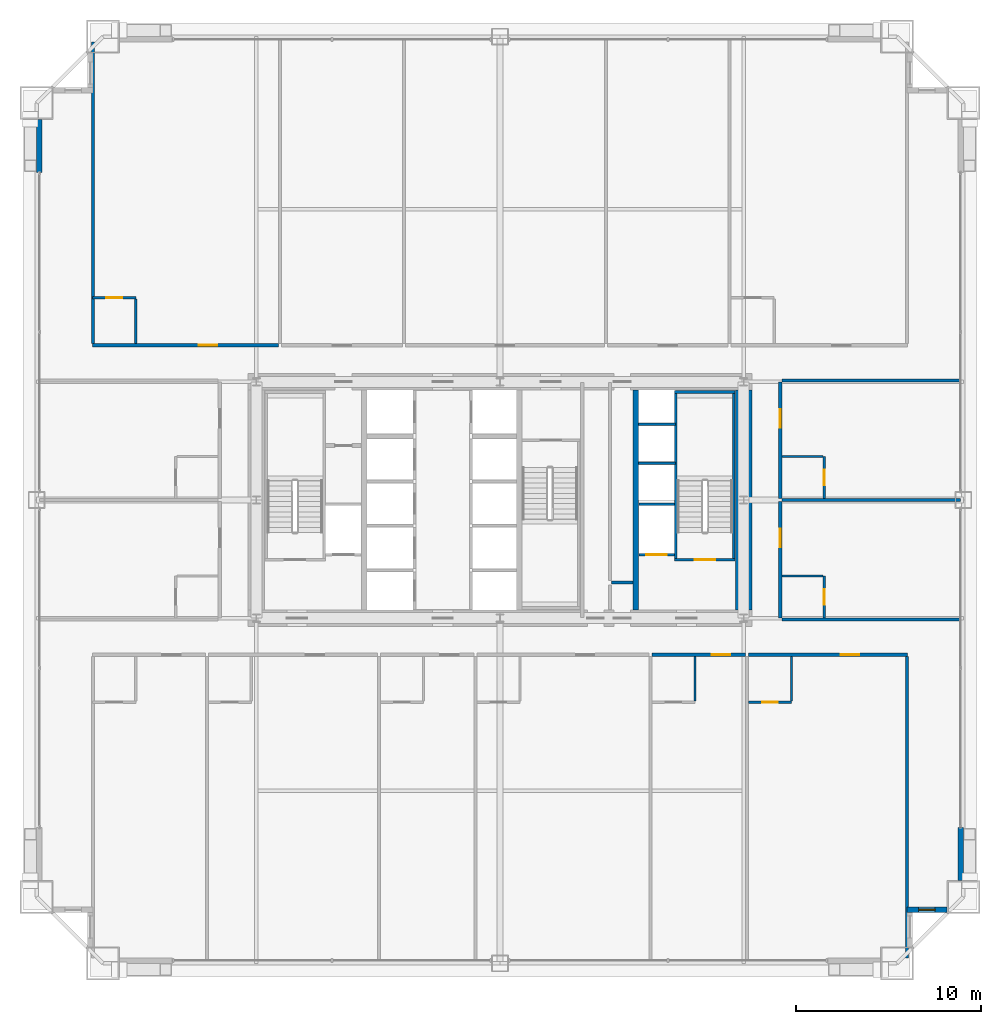
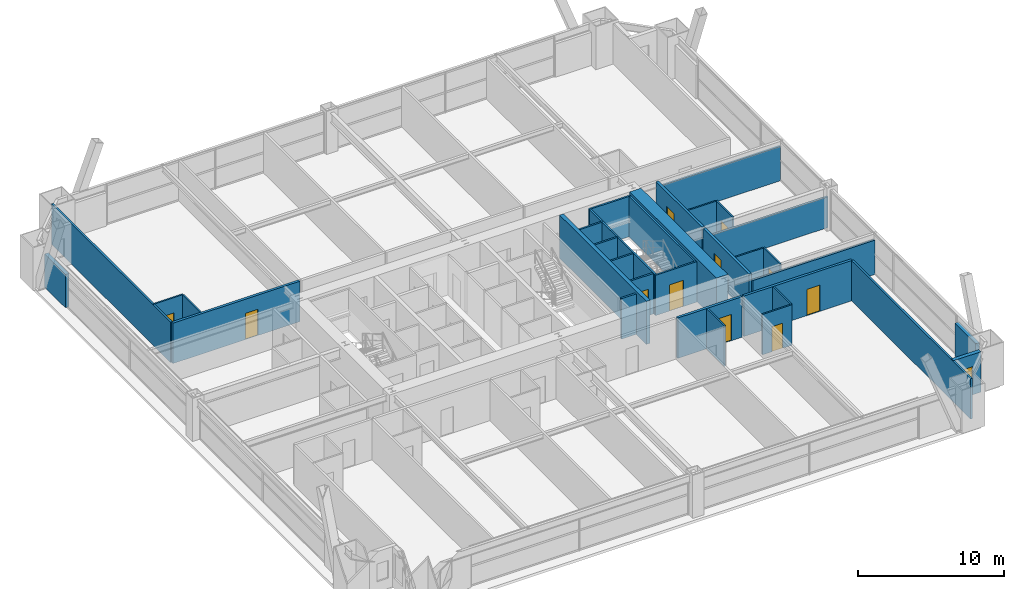
# One storey, part 41 of 43: 33 walls, 11 doors, 1 window, 12 openings.
"""IFC4 building model written with IfcOpenShell, lengths in metres."""

from ifc_helpers import new_model, si_unit, direction, frame, frame_2d, origin, place, context, subcontext, project, spatial, rectangle, extrude, source, transform, mapped, material, layer, layer_set, type_object, element, fill, save


model = new_model("IFC4")

# Units and contexts
model_context = context("Model", 3, precision=1e-05, world=origin(), true_north=direction((0.0, 1.0)))
body_context = subcontext(model_context, "Body", "Model", "MODEL_VIEW")
ifc_project = project(units=[si_unit("LENGTHUNIT", "METRE"), si_unit("AREAUNIT", "SQUARE_METRE"), si_unit("VOLUMEUNIT", "CUBIC_METRE"), si_unit("PLANEANGLEUNIT", "RADIAN"), si_unit("MASSUNIT", "GRAM", prefix="KILO"), si_unit("THERMODYNAMICTEMPERATUREUNIT", "KELVIN"), si_unit("POWERUNIT", "WATT")], contexts=[model_context])

# Site, building, storey
site_placement = place(None, origin())
site = spatial("IfcSite", under=ifc_project, at=site_placement, CompositionType="ELEMENT")
building_placement = place(site_placement, origin())
building = spatial("IfcBuilding", under=site, at=building_placement, Name="Yuzanri Waterfront Tower", CompositionType="ELEMENT")
storey_placement = place(building_placement, frame((0.0, 0.0, 60.39990234375)))
storey = spatial("IfcBuildingStorey", under=building, at=storey_placement, Name="L15", CompositionType="ELEMENT", Elevation=60.39990234375)

# Wall, opening, door
ifc_material_1 = material(Name="Moisture-Resistant Gypsum Stud Wall", Category="gypsum")
ifc_layer_1 = layer(ifc_material_1, 0.1201171875)
ifc_layer_set_1 = layer_set([ifc_layer_1], Name="Moisture-Resistant Gypsum Stud Wall")
wall_type_1 = type_object("IfcWallType", Name="Bathroom and Kitchen Wet Partition 120", PredefinedType="PARTITIONING", material=ifc_layer_set_1)
wall_1_placement = place(storey_placement, frame((50.462890625, 14.840087890625, 0.0), z_axis=(0.0, 0.0, 1.0), x_axis=(1.0, 0.0, 0.0)))
wall_1 = element("IfcWall", 1, at=wall_1_placement, inside=storey, type_object=wall_type_1, Name="L15 Partition UW-L15-S6-BS", PredefinedType="PARTITIONING", context=body_context, shape_type="SweptSolid", body=[
    extrude(rectangle(XDim=2.330078125, YDim=0.1201171875, at=frame_2d((1.1650390625, 0.0))), origin(), (0.0, 0.0, 1.0), 3.380126953125),
])
opening_1_placement = place(wall_1_placement, frame((0.739990234375, 0.0, 0.0)))
opening_1 = element("IfcOpeningElement", 2, at=opening_1_placement, cuts=wall_1, Name="Opening ID-0850", PredefinedType="OPENING", context=body_context, shape_type="SweptSolid", body=[
    extrude(rectangle(XDim=0.85009765625, YDim=2.10009765625, at=frame_2d((0.425048828125, 1.050048828125))), frame((0.0, 0.074951171875, 0.0), z_axis=(0.0, -1.0, 0.0), x_axis=(1.0, 0.0, 0.0)), (0.0, 0.0, 1.0), 0.14990234375),
])
ifc_material_2 = material(Name="Moisture-Resistant Lacquered Timber", Category="wood")
door_type_1 = type_object("IfcDoorType", Name="En-Suite Bathroom and Kitchen Swing Door 850x2100", OperationType="NOTDEFINED", PredefinedType="DOOR", material=ifc_material_2)
shared_shape_1 = source(origin(), body_context, "Body", "SweptSolid", [
    extrude(rectangle(XDim=0.85009765625, YDim=2.10009765625, at=frame_2d((0.425048828125, 1.050048828125))), frame((0.0, 0.02490234375, 0.0), z_axis=(0.0, -1.0, 0.0), x_axis=(1.0, 0.0, 0.0)), (0.0, 0.0, 1.0), 0.050048828125),
])
door_1_placement = place(opening_1_placement, origin())
door_1 = element("IfcDoor", 3, at=door_1_placement, inside=storey, type_object=door_type_1, Name="L15 Guest En-Suite Door", OperationType="SINGLE_SWING_RIGHT", OverallHeight=2.10009765625, OverallWidth=0.85009765625, PredefinedType="DOOR", context=body_context, shape_type="MappedRepresentation", body=[
    mapped(shared_shape_1, transform((0.0, 0.0, 0.0), scale=1.0)),
])
fill(opening_1, door_1)

wall_2_placement = place(storey_placement, frame((14.93994140625, 36.760009765625, 0.0), z_axis=(0.0, 0.0, 1.0), x_axis=(1.0, 0.0, 0.0)))
wall_2 = element("IfcWall", 4, at=wall_2_placement, inside=storey, type_object=wall_type_1, Name="L15 Partition UW-L15-N1-BN", PredefinedType="PARTITIONING", context=body_context, shape_type="SweptSolid", body=[
    extrude(rectangle(XDim=2.330078125, YDim=0.1201171875, at=frame_2d((1.1650390625, 0.0))), origin(), (0.0, 0.0, 1.0), 3.380126953125),
])
opening_2_placement = place(wall_2_placement, frame((0.739990234375, 0.0, 0.0)))
opening_2 = element("IfcOpeningElement", 5, at=opening_2_placement, cuts=wall_2, Name="Opening ID-0850", PredefinedType="OPENING", context=body_context, shape_type="SweptSolid", body=[
    extrude(rectangle(XDim=0.85009765625, YDim=2.10009765625, at=frame_2d((0.425048828125, 1.050048828125))), frame((0.0, 0.074951171875, 0.0), z_axis=(0.0, -1.0, 0.0), x_axis=(1.0, 0.0, 0.0)), (0.0, 0.0, 1.0), 0.14990234375),
])
door_2_placement = place(opening_2_placement, origin())
door_2 = element("IfcDoor", 6, at=door_2_placement, inside=storey, type_object=door_type_1, Name="L15 Guest En-Suite Door", OperationType="SINGLE_SWING_RIGHT", OverallHeight=2.10009765625, OverallWidth=0.85009765625, PredefinedType="DOOR", context=body_context, shape_type="MappedRepresentation", body=[
    mapped(shared_shape_1, transform((0.0, 0.0, 0.0), scale=1.0)),
])
fill(opening_2, door_2)

wall_3_placement = place(storey_placement, frame((54.56005859375, 19.409912109375, 0.0), z_axis=(0.0, 0.0, 1.0), x_axis=(0.0, 1.0, 0.0)))
wall_3 = element("IfcWall", 7, at=wall_3_placement, inside=storey, type_object=wall_type_1, Name="L15 Partition UW-L15-E1-BE2", PredefinedType="PARTITIONING", context=body_context, shape_type="SweptSolid", body=[
    extrude(rectangle(XDim=2.280029296875, YDim=0.1201171875, at=frame_2d((1.14013671875, 0.0))), origin(), (0.0, 0.0, 1.0), 3.380126953125),
])
opening_3_placement = place(wall_3_placement, frame((0.715087890625, 0.0, 0.0)))
opening_3 = element("IfcOpeningElement", 8, at=opening_3_placement, cuts=wall_3, Name="Opening ID-0850", PredefinedType="OPENING", context=body_context, shape_type="SweptSolid", body=[
    extrude(rectangle(XDim=0.85009765625, YDim=2.10009765625, at=frame_2d((0.425048828125, 1.050048828125))), frame((0.0, 0.074951171875, 0.0), z_axis=(0.0, -1.0, 0.0), x_axis=(1.0, 0.0, 0.0)), (0.0, 0.0, 1.0), 0.14990234375),
])
door_3_placement = place(opening_3_placement, origin())
door_3 = element("IfcDoor", 9, at=door_3_placement, inside=storey, type_object=door_type_1, Name="L15 Guest En-Suite Door", OperationType="SINGLE_SWING_LEFT", OverallHeight=2.10009765625, OverallWidth=0.85009765625, PredefinedType="DOOR", context=body_context, shape_type="MappedRepresentation", body=[
    mapped(shared_shape_1, transform((0.0, 0.0, 0.0), scale=1.0)),
])
fill(opening_3, door_3)

wall_4_placement = place(storey_placement, frame((54.56005859375, 25.8798828125, 0.0), z_axis=(0.0, 0.0, 1.0), x_axis=(0.0, 1.0, 0.0)))
wall_4 = element("IfcWall", 10, at=wall_4_placement, inside=storey, type_object=wall_type_1, Name="L15 Partition UW-L15-E2-BE2", PredefinedType="PARTITIONING", context=body_context, shape_type="SweptSolid", body=[
    extrude(rectangle(XDim=2.280029296875, YDim=0.1201171875, at=frame_2d((1.14013671875, 0.0))), origin(), (0.0, 0.0, 1.0), 3.380126953125),
])
opening_4_placement = place(wall_4_placement, frame((0.715087890625, 0.0, 0.0)))
opening_4 = element("IfcOpeningElement", 11, at=opening_4_placement, cuts=wall_4, Name="Opening ID-0850", PredefinedType="OPENING", context=body_context, shape_type="SweptSolid", body=[
    extrude(rectangle(XDim=0.85009765625, YDim=2.10009765625, at=frame_2d((0.425048828125, 1.050048828125))), frame((0.0, 0.074951171875, 0.0), z_axis=(0.0, -1.0, 0.0), x_axis=(1.0, 0.0, 0.0)), (0.0, 0.0, 1.0), 0.14990234375),
])
door_4_placement = place(opening_4_placement, origin())
door_4 = element("IfcDoor", 12, at=door_4_placement, inside=storey, type_object=door_type_1, Name="L15 Guest En-Suite Door", OperationType="SINGLE_SWING_LEFT", OverallHeight=2.10009765625, OverallWidth=0.85009765625, PredefinedType="DOOR", context=body_context, shape_type="MappedRepresentation", body=[
    mapped(shared_shape_1, transform((0.0, 0.0, 0.0), scale=1.0)),
])
fill(opening_4, door_4)

# Wall, opening, window
ifc_material_3 = material(Name="Honed Chongqing Dark Basalt Stone", Category="masonry")
ifc_layer_2 = layer(ifc_material_3, 0.300048828125)
ifc_layer_set_2 = layer_set([ifc_layer_2], Name="Honed Chongqing Dark Basalt Stone")
wall_type_2 = type_object("IfcWallType", Name="Bronze Rainscreen Insulated Spandrel Portal Wall 300", PredefinedType="SOLIDWALL", material=ifc_layer_set_2)
wall_5_placement = place(storey_placement, frame((59.050048828125, 3.60009765625, 0.0), z_axis=(0.0, 0.0, 1.0), x_axis=(1.0, 0.0, 0.0)))
wall_5 = element("IfcWall", 13, at=wall_5_placement, inside=storey, type_object=wall_type_2, Name="L15 Notched Corner Masonry Wall SE-X", PredefinedType="SOLIDWALL", context=body_context, shape_type="SweptSolid", body=[
    extrude(rectangle(XDim=2.14990234375, YDim=0.300048828125, at=frame_2d((1.074951171875, 0.0))), origin(), (0.0, 0.0, 1.0), 3.380126953125),
])
opening_5_placement = place(wall_5_placement, frame((0.625, 0.0, 0.85009765625)))
opening_5 = element("IfcOpeningElement", 14, at=opening_5_placement, cuts=wall_5, Name="Opening WN-05", PredefinedType="OPENING", context=body_context, shape_type="SweptSolid", body=[
    extrude(rectangle(XDim=0.89990234375, YDim=1.5, at=frame_2d((0.449951171875, 0.75))), frame((0.0, 0.1650390625, 0.0), z_axis=(0.0, -1.0, 0.0), x_axis=(1.0, 0.0, 0.0)), (0.0, 0.0, 1.0), 0.329833984375),
])
ifc_material_4 = material(Name="Double-Silver Low-E Insulated Glass", Category="glass")
window_type = type_object("IfcWindowType", Name="Anodized Bronze Service and Stairwell Smoke-Vent Window 900x1500", PartitioningType="SINGLE_PANEL", PredefinedType="WINDOW", material=ifc_material_4)
shared_shape_2 = source(origin(), body_context, "Body", "SweptSolid", [
    extrude(rectangle(XDim=0.89990234375, YDim=1.5, at=frame_2d((0.449951171875, 0.75))), frame((0.0, 0.030029296875, 0.0), z_axis=(0.0, -1.0, 0.0), x_axis=(1.0, 0.0, 0.0)), (0.0, 0.0, 1.0), 0.06005859375),
])
window_placement = place(opening_5_placement, origin())
window = element("IfcWindow", 15, at=window_placement, inside=storey, type_object=window_type, Name="L15 Notched Corner Window SE-X", OverallHeight=1.5, OverallWidth=0.89990234375, PartitioningType="SINGLE_PANEL", PredefinedType="WINDOW", context=body_context, shape_type="MappedRepresentation", body=[
    mapped(shared_shape_2, transform((0.0, 0.0, 0.0), scale=1.0)),
])
fill(opening_5, window)

# Wall, opening, door
ifc_material_5 = material(Name="Concrete C40", Category="concrete")
ifc_layer_3 = layer(ifc_material_5, 0.139892578125)
ifc_layer_set_3 = layer_set([ifc_layer_3], Name="Concrete C40")
wall_type_3 = type_object("IfcWallType", Name="Core Stair Liner and Hoistway Shaft Wall 140", PredefinedType="SOLIDWALL", material=ifc_layer_set_3)
wall_6_placement = place(storey_placement, frame((44.52001953125, 22.830078125, 0.0), z_axis=(0.0, 0.0, 1.0), x_axis=(1.0, 0.0, 0.0)))
wall_6 = element("IfcWall", 16, at=wall_6_placement, inside=storey, type_object=wall_type_3, Name="L15 Lift FL-02 Front Shaft Wall", PredefinedType="SOLIDWALL", context=body_context, shape_type="SweptSolid", body=[
    extrude(rectangle(XDim=1.919921875, YDim=0.139892578125, at=frame_2d((0.9599609375, 0.0))), origin(), (0.0, 0.0, 1.0), 3.380126953125),
])
opening_6_placement = place(wall_6_placement, frame((0.409912109375, 0.0, 0.0)))
opening_6 = element("IfcOpeningElement", 17, at=opening_6_placement, cuts=wall_6, Name="Opening LD-FL-02", PredefinedType="OPENING", context=body_context, shape_type="SweptSolid", body=[
    extrude(rectangle(XDim=1.10009765625, YDim=2.199951171875, at=frame_2d((0.550048828125, 1.10009765625))), frame((0.0, 0.0849609375, 0.0), z_axis=(0.0, -1.0, 0.0), x_axis=(1.0, 0.0, 0.0)), (0.0, 0.0, 1.0), 0.169677734375),
])
ifc_material_6 = material(Name="Brushed Bronze and Stainless Steel Cab", Category="steel")
door_type_2 = type_object("IfcDoorType", Name="Center-Parting Bronze Lift Landing Sliding Door 1100x2200", OperationType="NOTDEFINED", PredefinedType="DOOR", material=ifc_material_6)
shared_shape_3 = source(origin(), body_context, "Body", "SweptSolid", [
    extrude(rectangle(XDim=1.10009765625, YDim=2.199951171875, at=frame_2d((0.550048828125, 1.10009765625))), frame((0.0, 0.02490234375, 0.0), z_axis=(0.0, -1.0, 0.0), x_axis=(1.0, 0.0, 0.0)), (0.0, 0.0, 1.0), 0.050048828125),
])
door_5_placement = place(opening_6_placement, origin())
door_5 = element("IfcDoor", 18, at=door_5_placement, inside=storey, type_object=door_type_2, Name="L15 FL-02 Lift Landing Sliding Door", OperationType="SLIDING_TO_RIGHT", OverallHeight=2.199951171875, OverallWidth=1.10009765625, PredefinedType="DOOR", context=body_context, shape_type="MappedRepresentation", body=[
    mapped(shared_shape_3, transform((0.0, 0.0, 0.0), scale=1.0)),
])
fill(opening_6, door_5)

wall_7_placement = place(storey_placement, frame((46.4599609375, 22.570068359375, 0.0), z_axis=(0.0, 0.0, 1.0), x_axis=(1.0, 0.0, 0.0)))
wall_7 = element("IfcWall", 19, at=wall_7_placement, inside=storey, type_object=wall_type_3, Name="L15 Shaft Wall STW-L15-ST-02-S", PredefinedType="SOLIDWALL", context=body_context, shape_type="SweptSolid", body=[
    extrude(rectangle(XDim=3.280029296875, YDim=0.139892578125, at=frame_2d((1.64013671875, 0.0))), origin(), (0.0, 0.0, 1.0), 3.380126953125),
])
opening_7_placement = place(wall_7_placement, frame((1.090087890625, 0.0, 0.0)))
opening_7 = element("IfcOpeningElement", 20, at=opening_7_placement, cuts=wall_7, Name="Opening FD-1100", PredefinedType="OPENING", context=body_context, shape_type="SweptSolid", body=[
    extrude(rectangle(XDim=1.10009765625, YDim=2.199951171875, at=frame_2d((0.550048828125, 1.10009765625))), frame((0.0, 0.0849609375, 0.0), z_axis=(0.0, -1.0, 0.0), x_axis=(1.0, 0.0, 0.0)), (0.0, 0.0, 1.0), 0.169677734375),
])
ifc_material_7 = material(Name="Painted Galvanized Fire Steel", Category="steel")
door_type_3 = type_object("IfcDoorType", Name="Smoke-Proof Stair and Lobby Fire Door 1100x2200", OperationType="NOTDEFINED", PredefinedType="DOOR", material=ifc_material_7)
shared_shape_4 = source(origin(), body_context, "Body", "SweptSolid", [
    extrude(rectangle(XDim=1.10009765625, YDim=2.199951171875, at=frame_2d((0.550048828125, 1.10009765625))), frame((0.0, 0.02490234375, 0.0), z_axis=(0.0, -1.0, 0.0), x_axis=(1.0, 0.0, 0.0)), (0.0, 0.0, 1.0), 0.050048828125),
])
door_6_placement = place(opening_7_placement, origin())
door_6 = element("IfcDoor", 21, at=door_6_placement, inside=storey, type_object=door_type_3, Name="L15 Stair ST-02 Fire Door", OperationType="SINGLE_SWING_LEFT", OverallHeight=2.199951171875, OverallWidth=1.10009765625, PredefinedType="DOOR", context=body_context, shape_type="MappedRepresentation", body=[
    mapped(shared_shape_4, transform((0.0, 0.0, 0.0), scale=1.0)),
])
fill(opening_7, door_6)

ifc_material_8 = material(Name="Autoclaved Aerated Concrete Blockwork", Category="masonry")
ifc_layer_4 = layer(ifc_material_8, 0.199951171875)
ifc_layer_set_4 = layer_set([ifc_layer_4], Name="Autoclaved Aerated Concrete Blockwork")
wall_type_4 = type_object("IfcWallType", Name="Corridor and Unit Party Fire Wall 200", PredefinedType="PARTITIONING", material=ifc_layer_set_4)
wall_8_placement = place(storey_placement, frame((45.22705078125, 17.419921875, 0.0), z_axis=(0.0, 0.0, 1.0), x_axis=(1.0, 0.0, 0.0)))
wall_8 = element("IfcWall", 22, at=wall_8_placement, inside=storey, type_object=wall_type_4, Name="L15 Partition UW-L15-S5-CN", PredefinedType="PARTITIONING", context=body_context, shape_type="SweptSolid", body=[
    extrude(rectangle(XDim=5.075927734375, YDim=0.199951171875, at=frame_2d((2.5380859375, 0.0))), origin(), (0.0, 0.0, 1.0), 3.380126953125),
])
opening_8_placement = place(wall_8_placement, frame((3.242919921875, 0.0, 0.0)))
opening_8 = element("IfcOpeningElement", 23, at=opening_8_placement, cuts=wall_8, Name="Opening FD-1000", PredefinedType="OPENING", context=body_context, shape_type="SweptSolid", body=[
    extrude(rectangle(XDim=1.0, YDim=2.199951171875, at=frame_2d((0.5, 1.10009765625))), frame((0.0, 0.11474609375, 0.0), z_axis=(0.0, -1.0, 0.0), x_axis=(1.0, 0.0, 0.0)), (0.0, 0.0, 1.0), 0.229736328125),
])
ifc_material_9 = material(Name="Engineered Oak Fire-Rated Timber", Category="wood")
door_type_4 = type_object("IfcDoorType", Name="Guestroom and Apartment Entrance Fire Door 1000x2200", OperationType="NOTDEFINED", PredefinedType="DOOR", material=ifc_material_9)
shared_shape_5 = source(origin(), body_context, "Body", "SweptSolid", [
    extrude(rectangle(XDim=1.0, YDim=2.199951171875, at=frame_2d((0.5, 1.10009765625))), frame((0.0, 0.02490234375, 0.0), z_axis=(0.0, -1.0, 0.0), x_axis=(1.0, 0.0, 0.0)), (0.0, 0.0, 1.0), 0.050048828125),
])
door_7_placement = place(opening_8_placement, origin())
door_7 = element("IfcDoor", 24, at=door_7_placement, inside=storey, type_object=door_type_4, Name="L15 Deluxe Riverfront Junior Suite Entrance Door", OperationType="SINGLE_SWING_LEFT", OverallHeight=2.199951171875, OverallWidth=1.0, PredefinedType="DOOR", context=body_context, shape_type="MappedRepresentation", body=[
    mapped(shared_shape_5, transform((0.0, 0.0, 0.0), scale=1.0)),
])
fill(opening_8, door_7)

wall_9_placement = place(storey_placement, frame((50.462890625, 17.419921875, 0.0), z_axis=(0.0, 0.0, 1.0), x_axis=(1.0, 0.0, 0.0)))
wall_9 = element("IfcWall", 25, at=wall_9_placement, inside=storey, type_object=wall_type_4, Name="L15 Partition UW-L15-S6-CN", PredefinedType="PARTITIONING", context=body_context, shape_type="SweptSolid", body=[
    extrude(rectangle(XDim=8.59716796875, YDim=0.199951171875, at=frame_2d((4.298583984375, 0.0))), origin(), (0.0, 0.0, 1.0), 3.380126953125),
])
opening_9_placement = place(wall_9_placement, frame((5.0029296875, 0.0, 0.0)))
opening_9 = element("IfcOpeningElement", 26, at=opening_9_placement, cuts=wall_9, Name="Opening FD-1000", PredefinedType="OPENING", context=body_context, shape_type="SweptSolid", body=[
    extrude(rectangle(XDim=1.0, YDim=2.199951171875, at=frame_2d((0.5, 1.10009765625))), frame((0.0, 0.11474609375, 0.0), z_axis=(0.0, -1.0, 0.0), x_axis=(1.0, 0.0, 0.0)), (0.0, 0.0, 1.0), 0.229736328125),
])
door_8_placement = place(opening_9_placement, origin())
door_8 = element("IfcDoor", 27, at=door_8_placement, inside=storey, type_object=door_type_4, Name="L15 Deluxe Riverfront Junior Suite Entrance Door", OperationType="SINGLE_SWING_LEFT", OverallHeight=2.199951171875, OverallWidth=1.0, PredefinedType="DOOR", context=body_context, shape_type="MappedRepresentation", body=[
    mapped(shared_shape_5, transform((0.0, 0.0, 0.0), scale=1.0)),
])
fill(opening_9, door_8)

wall_10_placement = place(storey_placement, frame((14.93994140625, 34.179931640625, 0.0), z_axis=(0.0, 0.0, 1.0), x_axis=(1.0, 0.0, 0.0)))
wall_10 = element("IfcWall", 28, at=wall_10_placement, inside=storey, type_object=wall_type_4, Name="L15 Partition UW-L15-N1-CS", PredefinedType="PARTITIONING", context=body_context, shape_type="SweptSolid", body=[
    extrude(rectangle(XDim=10.068115234375, YDim=0.199951171875, at=frame_2d((5.0341796875, 0.0))), origin(), (0.0, 0.0, 1.0), 3.380126953125),
])
opening_10_placement = place(wall_10_placement, frame((5.739013671875, 0.0, 0.0)))
opening_10 = element("IfcOpeningElement", 29, at=opening_10_placement, cuts=wall_10, Name="Opening FD-1000", PredefinedType="OPENING", context=body_context, shape_type="SweptSolid", body=[
    extrude(rectangle(XDim=1.0, YDim=2.199951171875, at=frame_2d((0.5, 1.10009765625))), frame((0.0, 0.11474609375, 0.0), z_axis=(0.0, -1.0, 0.0), x_axis=(1.0, 0.0, 0.0)), (0.0, 0.0, 1.0), 0.229736328125),
])
door_9_placement = place(opening_10_placement, origin())
door_9 = element("IfcDoor", 30, at=door_9_placement, inside=storey, type_object=door_type_4, Name="L15 Diplomatic Suite Entrance Door", OperationType="SINGLE_SWING_LEFT", OverallHeight=2.199951171875, OverallWidth=1.0, PredefinedType="DOOR", context=body_context, shape_type="MappedRepresentation", body=[
    mapped(shared_shape_5, transform((0.0, 0.0, 0.0), scale=1.0)),
])
fill(opening_10, door_9)

wall_11_placement = place(storey_placement, frame((52.179931640625, 19.409912109375, 0.0), z_axis=(0.0, 0.0, 1.0), x_axis=(0.0, 1.0, 0.0)))
wall_11 = element("IfcWall", 31, at=wall_11_placement, inside=storey, type_object=wall_type_4, Name="L15 Partition UW-L15-E1-CW", PredefinedType="PARTITIONING", context=body_context, shape_type="SweptSolid", body=[
    extrude(rectangle(XDim=6.31005859375, YDim=0.199951171875, at=frame_2d((3.155029296875, 0.0))), origin(), (0.0, 0.0, 1.0), 3.380126953125),
])
opening_11_placement = place(wall_11_placement, frame((3.8349609375, 0.0, 0.0)))
opening_11 = element("IfcOpeningElement", 32, at=opening_11_placement, cuts=wall_11, Name="Opening FD-1000", PredefinedType="OPENING", context=body_context, shape_type="SweptSolid", body=[
    extrude(rectangle(XDim=1.0, YDim=2.199951171875, at=frame_2d((0.5, 1.10009765625))), frame((0.0, 0.11474609375, 0.0), z_axis=(0.0, -1.0, 0.0), x_axis=(1.0, 0.0, 0.0)), (0.0, 0.0, 1.0), 0.229736328125),
])
door_10_placement = place(opening_11_placement, origin())
door_10 = element("IfcDoor", 33, at=door_10_placement, inside=storey, type_object=door_type_4, Name="L15 East Guest Room Entrance Door", OperationType="SINGLE_SWING_RIGHT", OverallHeight=2.199951171875, OverallWidth=1.0, PredefinedType="DOOR", context=body_context, shape_type="MappedRepresentation", body=[
    mapped(shared_shape_5, transform((0.0, 0.0, 0.0), scale=1.0)),
])
fill(opening_11, door_10)

wall_12_placement = place(storey_placement, frame((52.179931640625, 25.8798828125, 0.0), z_axis=(0.0, 0.0, 1.0), x_axis=(0.0, 1.0, 0.0)))
wall_12 = element("IfcWall", 34, at=wall_12_placement, inside=storey, type_object=wall_type_4, Name="L15 Partition UW-L15-E2-CW", PredefinedType="PARTITIONING", context=body_context, shape_type="SweptSolid", body=[
    extrude(rectangle(XDim=6.31005859375, YDim=0.199951171875, at=frame_2d((3.155029296875, 0.0))), origin(), (0.0, 0.0, 1.0), 3.380126953125),
])
opening_12_placement = place(wall_12_placement, frame((3.8349609375, 0.0, 0.0)))
opening_12 = element("IfcOpeningElement", 35, at=opening_12_placement, cuts=wall_12, Name="Opening FD-1000", PredefinedType="OPENING", context=body_context, shape_type="SweptSolid", body=[
    extrude(rectangle(XDim=1.0, YDim=2.199951171875, at=frame_2d((0.5, 1.10009765625))), frame((0.0, 0.11474609375, 0.0), z_axis=(0.0, -1.0, 0.0), x_axis=(1.0, 0.0, 0.0)), (0.0, 0.0, 1.0), 0.229736328125),
])
door_11_placement = place(opening_12_placement, origin())
door_11 = element("IfcDoor", 36, at=door_11_placement, inside=storey, type_object=door_type_4, Name="L15 East Guest Room Entrance Door", OperationType="SINGLE_SWING_RIGHT", OverallHeight=2.199951171875, OverallWidth=1.0, PredefinedType="DOOR", context=body_context, shape_type="MappedRepresentation", body=[
    mapped(shared_shape_5, transform((0.0, 0.0, 0.0), scale=1.0)),
])
fill(opening_12, door_11)

# Walls
ifc_material_10 = material(Name="Concrete C60", Category="concrete")
ifc_layer_5 = layer(ifc_material_10, 0.89990234375)
ifc_layer_set_5 = layer_set([ifc_layer_5], Name="Concrete C60")
wall_type_5 = type_object("IfcWallType", Name="Concrete C60 Lower Zone Core Shear Wall 900", PredefinedType="SHEAR", material=ifc_layer_set_5)
shared_shape_6 = source(origin(), body_context, "Body", "SweptSolid", [
    extrude(rectangle(XDim=11.89990234375, YDim=0.89990234375, at=frame_2d((5.949951171875, 0.0))), origin(), (0.0, 0.0, 1.0), 3.60009765625),
])
wall_13_placement = place(storey_placement, frame((50.199951171875, 19.85009765625, 0.0), z_axis=(0.0, 0.0, 1.0), x_axis=(0.0, 1.0, 0.0)))
element("IfcWall", 37, at=wall_13_placement, inside=storey, type_object=wall_type_5, Name="L15 Core East Shear Wall", PredefinedType="SHEAR", context=body_context, shape_type="MappedRepresentation", body=[
    mapped(shared_shape_6, transform((0.0, 0.0, 0.0), scale=1.0)),
])
ifc_material_11 = material(Name="Concrete C50", Category="concrete")
ifc_layer_6 = layer(ifc_material_11, 0.300048828125)
ifc_layer_set_6 = layer_set([ifc_layer_6], Name="Concrete C50")
wall_type_6 = type_object("IfcWallType", Name="Concrete C50 Internal Core Shaft Structural Wall 300", PredefinedType="SOLIDWALL", material=ifc_layer_set_6)
shared_shape_7 = source(origin(), body_context, "Body", "SweptSolid", [
    extrude(rectangle(XDim=11.89990234375, YDim=0.300048828125, at=frame_2d((5.949951171875, 0.0))), origin(), (0.0, 0.0, 1.0), 3.60009765625),
])
wall_14_placement = place(storey_placement, frame((44.35009765625, 19.85009765625, 0.0), z_axis=(0.0, 0.0, 1.0), x_axis=(0.0, 1.0, 0.0)))
element("IfcWall", 38, at=wall_14_placement, inside=storey, type_object=wall_type_6, Name="L15 Core Internal Structural Web Wall 3", PredefinedType="SOLIDWALL", context=body_context, shape_type="MappedRepresentation", body=[
    mapped(shared_shape_7, transform((0.0, 0.0, 0.0), scale=1.0)),
])
shared_shape_8 = source(origin(), body_context, "Body", "SweptSolid", [
    extrude(rectangle(XDim=2.85009765625, YDim=0.300048828125, at=frame_2d((1.425048828125, 0.0))), origin(), (0.0, 0.0, 1.0), 2.775146484375),
])
wall_15_placement = place(storey_placement, frame((61.949951171875, 5.199951171875, 0.0), z_axis=(0.0, 0.0, 1.0), x_axis=(0.0, 1.0, 0.0)))
element("IfcWall", 39, at=wall_15_placement, inside=storey, type_object=wall_type_2, Name="L15 E Left Braced Masonry Shoulder", PredefinedType="SOLIDWALL", context=body_context, shape_type="MappedRepresentation", body=[
    mapped(shared_shape_8, transform((0.0, 0.0, 0.0), scale=1.0)),
])
shared_shape_9 = source(origin(), body_context, "Body", "SweptSolid", [
    extrude(rectangle(XDim=2.849853515625, YDim=0.300048828125, at=frame_2d((1.4248046875, 0.0))), origin(), (0.0, 0.0, 1.0), 2.775146484375),
])
wall_16_placement = place(storey_placement, frame((12.050048828125, 43.550048828125, 0.0), z_axis=(0.0, 0.0, 1.0), x_axis=(0.0, 1.0, 0.0)))
element("IfcWall", 40, at=wall_16_placement, inside=storey, type_object=wall_type_2, Name="L15 W Right Braced Masonry Shoulder", PredefinedType="SOLIDWALL", context=body_context, shape_type="MappedRepresentation", body=[
    mapped(shared_shape_9, transform((0.0, 0.0, 0.0), scale=1.0)),
])
shared_shape_10 = source(origin(), body_context, "Body", "SweptSolid", [
    extrude(rectangle(XDim=1.919921875, YDim=0.139892578125, at=frame_2d((0.9599609375, 0.0))), origin(), (0.0, 0.0, 1.0), 3.380126953125),
])
wall_17_placement = place(storey_placement, frame((44.52001953125, 25.570068359375, 0.0), z_axis=(0.0, 0.0, 1.0), x_axis=(1.0, 0.0, 0.0)))
element("IfcWall", 41, at=wall_17_placement, inside=storey, type_object=wall_type_3, Name="L15 Lift FL-02 Back Shaft Wall", PredefinedType="SOLIDWALL", context=body_context, shape_type="MappedRepresentation", body=[
    mapped(shared_shape_10, transform((0.0, 0.0, 0.0), scale=1.0)),
])
shared_shape_11 = source(origin(), body_context, "Body", "SweptSolid", [
    extrude(rectangle(XDim=2.0, YDim=0.139892578125, at=frame_2d((1.0, 0.0))), origin(), (0.0, 0.0, 1.0), 3.380126953125),
])
for number, where, z_axis, x_axis, name in (
    (42, (44.5, 27.800048828125, 0.0), (0.0, 0.0, 1.0), (1.0, 0.0, 0.0), "L15 Lift PL-09 Divider Wall"),
    (43, (44.5, 29.89990234375, 0.0), (0.0, 0.0, 1.0), (1.0, 0.0, 0.0), "L15 Lift PL-10 Divider Wall"),
):
    element("IfcWall", number, at=place(storey_placement, frame(where, z_axis=z_axis, x_axis=x_axis)), inside=storey, type_object=wall_type_3, Name=name, PredefinedType="SOLIDWALL", context=body_context, shape_type="MappedRepresentation", body=[
        mapped(shared_shape_11, transform((0.0, 0.0, 0.0), scale=1.0)),
    ])
ifc_material_12 = material(Name="Gypsum Fireboard Acoustic Stud Wall", Category="gypsum")
ifc_layer_7 = layer(ifc_material_12, 0.159912109375)
ifc_layer_set_7 = layer_set([ifc_layer_7], Name="Gypsum Fireboard Acoustic Stud Wall")
wall_type_7 = type_object("IfcWallType", Name="Acoustic Suite Demising Partition 160", PredefinedType="PARTITIONING", material=ifc_layer_set_7)
shared_shape_12 = source(origin(), body_context, "Body", "SweptSolid", [
    extrude(rectangle(XDim=9.669921875, YDim=0.159912109375, at=frame_2d((4.8349609375, 0.0))), origin(), (0.0, 0.0, 1.0), 2.875),
])
for number, where, z_axis, x_axis, name in (
    (44, (52.280029296875, 19.330078125, 0.0), (0.0, 0.0, 1.0), (1.0, 0.0, 0.0), "L15-E1 Wing South End Wall"),
    (45, (52.280029296875, 32.27001953125, 0.0), (0.0, 0.0, 1.0), (1.0, 0.0, 0.0), "L15-E2 Wing North End Wall"),
):
    element("IfcWall", number, at=place(storey_placement, frame(where, z_axis=z_axis, x_axis=x_axis)), inside=storey, type_object=wall_type_7, Name=name, PredefinedType="PARTITIONING", context=body_context, shape_type="MappedRepresentation", body=[
        mapped(shared_shape_12, transform((0.0, 0.0, 0.0), scale=1.0)),
    ])
shared_shape_13 = source(origin(), body_context, "Body", "SweptSolid", [
    extrude(rectangle(XDim=3.280029296875, YDim=0.139892578125, at=frame_2d((1.64013671875, 0.0))), origin(), (0.0, 0.0, 1.0), 3.380126953125),
])
wall_18_placement = place(storey_placement, frame((46.4599609375, 31.64990234375, 0.0), z_axis=(0.0, 0.0, 1.0), x_axis=(1.0, 0.0, 0.0)))
element("IfcWall", 46, at=wall_18_placement, inside=storey, type_object=wall_type_3, Name="L15 Stair ST-02 North Shaft Wall", PredefinedType="SOLIDWALL", context=body_context, shape_type="MappedRepresentation", body=[
    mapped(shared_shape_13, transform((0.0, 0.0, 0.0), scale=1.0)),
])
shared_shape_14 = source(origin(), body_context, "Body", "SweptSolid", [
    extrude(rectangle(XDim=8.940185546875, YDim=0.139892578125, at=frame_2d((4.47021484375, 0.0))), origin(), (0.0, 0.0, 1.0), 3.380126953125),
])
for number, where, z_axis, x_axis, name in (
    (47, (46.530029296875, 22.639892578125, 0.0), (0.0, 0.0, 1.0), (0.0, 1.0, 0.0), "L15 Stair ST-02 West Shaft Wall"),
    (48, (49.669921875, 22.639892578125, 0.0), (0.0, 0.0, 1.0), (0.0, 1.0, 0.0), "L15 Stair ST-02 East Shaft Wall"),
):
    element("IfcWall", number, at=place(storey_placement, frame(where, z_axis=z_axis, x_axis=x_axis)), inside=storey, type_object=wall_type_3, Name=name, PredefinedType="SOLIDWALL", context=body_context, shape_type="MappedRepresentation", body=[
        mapped(shared_shape_14, transform((0.0, 0.0, 0.0), scale=1.0)),
    ])
shared_shape_15 = source(origin(), body_context, "Body", "SweptSolid", [
    extrude(rectangle(XDim=1.169921875, YDim=0.159912109375, at=frame_2d((0.5849609375, 0.0))), origin(), (0.0, 0.0, 1.0), 3.380126953125),
])
wall_19_placement = place(storey_placement, frame((43.030029296875, 21.320068359375, 0.0), z_axis=(0.0, 0.0, 1.0), x_axis=(1.0, 0.0, 0.0)))
element("IfcWall", 49, at=wall_19_placement, inside=storey, type_object=wall_type_7, Name="L15 East Wet Riser North Wall", PredefinedType="PARTITIONING", context=body_context, shape_type="MappedRepresentation", body=[
    mapped(shared_shape_15, transform((0.0, 0.0, 0.0), scale=1.0)),
])
shared_shape_16 = source(origin(), body_context, "Body", "SweptSolid", [
    extrude(rectangle(XDim=2.420166015625, YDim=0.1201171875, at=frame_2d((1.2099609375, 0.0))), origin(), (0.0, 0.0, 1.0), 3.380126953125),
])
for number, where, z_axis, x_axis, name in (
    (50, (47.556884765625, 14.89990234375, 0.0), (0.0, 0.0, 1.0), (0.0, 1.0, 0.0), "L15-S5 En-Suite Side Wall"),
    (51, (52.79296875, 14.89990234375, 0.0), (0.0, 0.0, 1.0), (0.0, 1.0, 0.0), "L15-S6 En-Suite Side Wall"),
):
    element("IfcWall", number, at=place(storey_placement, frame(where, z_axis=z_axis, x_axis=x_axis)), inside=storey, type_object=wall_type_1, Name=name, PredefinedType="PARTITIONING", context=body_context, shape_type="MappedRepresentation", body=[
        mapped(shared_shape_16, transform((0.0, 0.0, 0.0), scale=1.0)),
    ])
shared_shape_17 = source(origin(), body_context, "Body", "SweptSolid", [
    extrude(rectangle(XDim=16.320068359375, YDim=0.159912109375, at=frame_2d((8.16015625, 0.0))), origin(), (0.0, 0.0, 1.0), 3.380126953125),
])
for number, where, z_axis, x_axis, name in (
    (52, (59.050048828125, 1.0, 0.0), (0.0, 0.0, 1.0), (0.0, 1.0, 0.0), "L15 South Band East End Wall"),
    (53, (14.949951171875, 34.280029296875, 0.0), (0.0, 0.0, 1.0), (0.0, 1.0, 0.0), "L15 North Band West End Wall"),
):
    element("IfcWall", number, at=place(storey_placement, frame(where, z_axis=z_axis, x_axis=x_axis)), inside=storey, type_object=wall_type_7, Name=name, PredefinedType="PARTITIONING", context=body_context, shape_type="MappedRepresentation", body=[
        mapped(shared_shape_17, transform((0.0, 0.0, 0.0), scale=1.0)),
    ])
shared_shape_18 = source(origin(), body_context, "Body", "SweptSolid", [
    extrude(rectangle(XDim=2.419921875, YDim=0.1201171875, at=frame_2d((1.2099609375, 0.0))), origin(), (0.0, 0.0, 1.0), 3.380126953125),
])
wall_20_placement = place(storey_placement, frame((17.27001953125, 34.280029296875, 0.0), z_axis=(0.0, 0.0, 1.0), x_axis=(0.0, 1.0, 0.0)))
element("IfcWall", 54, at=wall_20_placement, inside=storey, type_object=wall_type_1, Name="L15-N1 En-Suite Side Wall", PredefinedType="PARTITIONING", context=body_context, shape_type="MappedRepresentation", body=[
    mapped(shared_shape_18, transform((0.0, 0.0, 0.0), scale=1.0)),
])
shared_shape_19 = source(origin(), body_context, "Body", "SweptSolid", [
    extrude(rectangle(XDim=2.219970703125, YDim=0.1201171875, at=frame_2d((1.10986328125, 0.0))), origin(), (0.0, 0.0, 1.0), 3.380126953125),
])
for number, where, z_axis, x_axis, name in (
    (55, (52.280029296875, 21.68994140625, 0.0), (0.0, 0.0, 1.0), (1.0, 0.0, 0.0), "L15-E1 En-Suite Top Wall"),
    (56, (52.280029296875, 28.159912109375, 0.0), (0.0, 0.0, 1.0), (1.0, 0.0, 0.0), "L15-E2 En-Suite Top Wall"),
):
    element("IfcWall", number, at=place(storey_placement, frame(where, z_axis=z_axis, x_axis=x_axis)), inside=storey, type_object=wall_type_1, Name=name, PredefinedType="PARTITIONING", context=body_context, shape_type="MappedRepresentation", body=[
        mapped(shared_shape_19, transform((0.0, 0.0, 0.0), scale=1.0)),
    ])
shared_shape_20 = source(origin(), body_context, "Body", "SweptSolid", [
    extrude(rectangle(XDim=9.669921875, YDim=0.159912109375, at=frame_2d((4.8349609375, 0.0))), origin(), (0.0, 0.0, 1.0), 2.5751953125),
])
wall_21_placement = place(storey_placement, frame((52.280029296875, 25.800048828125, 0.0), z_axis=(0.0, 0.0, 1.0), x_axis=(1.0, 0.0, 0.0)))
element("IfcWall", 57, at=wall_21_placement, inside=storey, type_object=wall_type_7, Name="L15-E1 Wing Party Wall", PredefinedType="PARTITIONING", context=body_context, shape_type="MappedRepresentation", body=[
    mapped(shared_shape_20, transform((0.0, 0.0, 0.0), scale=1.0)),
])

save(model, "model.ifc")
